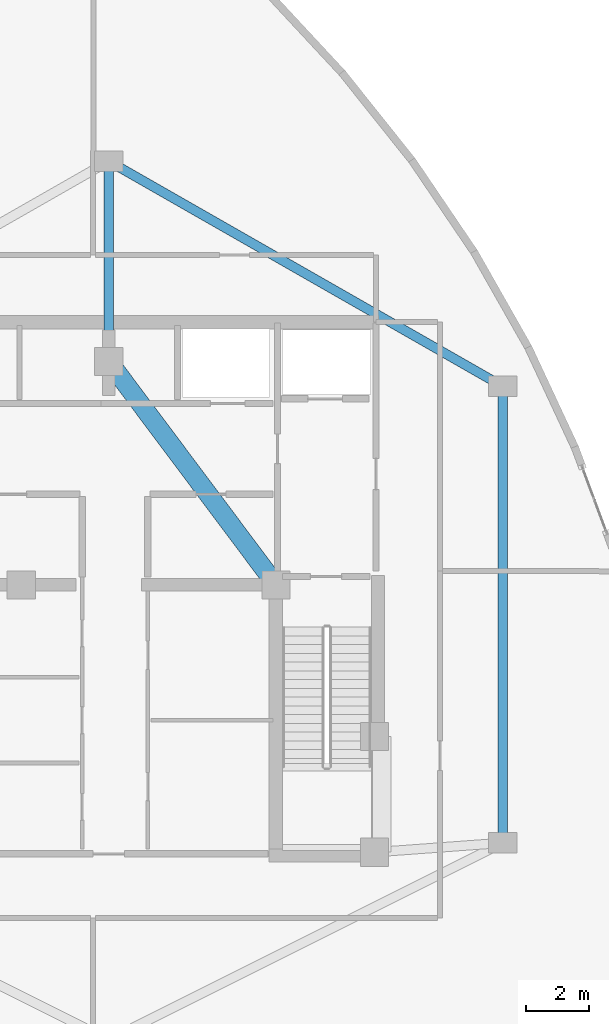
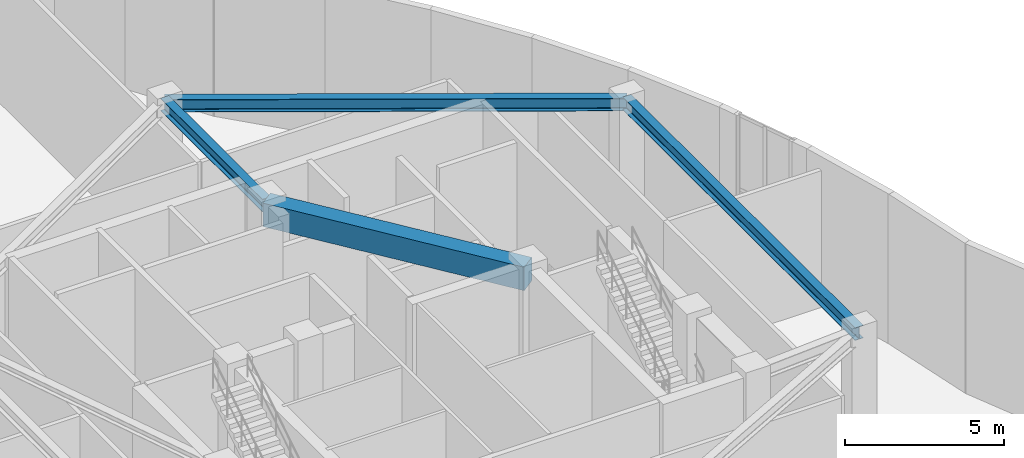
# One storey, part 5 of 11: 4 beams.
"""IFC4 building model written with IfcOpenShell, lengths in metres."""

from ifc_helpers import new_model, si_unit, direction, frame, origin, origin_2d, place, context, subcontext, project, spatial, rectangle, i_section, extrude, material, material_profile, profile_set, type_object, element, save


model = new_model("IFC4")

# Units and contexts
model_context = context("Model", 3, precision=1e-05, world=origin(), true_north=direction((0.0, 1.0)))
body_context = subcontext(model_context, "Body", "Model", "MODEL_VIEW")
ifc_project = project(units=[si_unit("LENGTHUNIT", "METRE"), si_unit("AREAUNIT", "SQUARE_METRE"), si_unit("VOLUMEUNIT", "CUBIC_METRE"), si_unit("PLANEANGLEUNIT", "RADIAN"), si_unit("MASSUNIT", "GRAM", prefix="KILO")], contexts=[model_context])

# Site, building, storey
site_placement = place(None, origin())
site = spatial("IfcSite", under=ifc_project, at=site_placement, CompositionType="ELEMENT")
building_placement = place(site_placement, origin())
building = spatial("IfcBuilding", under=site, at=building_placement, Name="Miruveldt Soraemaru", CompositionType="ELEMENT")
storey_placement = place(building_placement, frame((0.0, 0.0, 300.800048828125)))
storey = spatial("IfcBuildingStorey", under=building, at=storey_placement, Name="L80", CompositionType="ELEMENT", Elevation=300.800048828125)

# Beams
ifc_material_1 = material(Name="Concrete C60/75 (60 MPa)", Category="concrete")
ifc_material_profile_1 = material_profile(ifc_material_1, rectangle(XDim=0.60009765625, YDim=0.89990234375, at=origin_2d()), Name="Concrete C60/75 (60 MPa)", Category="concrete")
ifc_profile_set_1 = profile_set([ifc_material_profile_1], Name="Concrete C60/75 (60 MPa)")
beam_type_1 = type_object("IfcBeamType", Name="BM-RC-600x900", PredefinedType="BEAM", material=ifc_profile_set_1)
beam_1_placement = place(storey_placement, frame((49.35009765625, 44.050048828125, 5.2900390625), z_axis=(-0.599116023999, 0.800662219533, 0.0), x_axis=(-0.800662219533, -0.599116023999, 0.0)))
element("IfcBeam", 1, at=beam_1_placement, inside=storey, type_object=beam_type_1, Name="L80 Core Tie Beam 5", PredefinedType="BEAM", context=body_context, shape_type="SweptSolid", body=[
    extrude(rectangle(XDim=0.60009765625, YDim=0.89990234375, at=origin_2d()), origin(), (0.0, 0.0, 1.0), 8.929931640625),
])
ifc_material_2 = material(Name="Steel SM355 (355 MPa)", Category="steel")
ifc_material_profile_2 = material_profile(ifc_material_2, i_section(OverallWidth=0.300048828125, OverallDepth=0.488037109375, WebThickness=0.010986328125, FlangeThickness=0.01806640625, FilletRadius=0.02587890625, at=origin_2d()), Name="Steel SM355 (355 MPa)", Category="steel")
ifc_profile_set_2 = profile_set([ifc_material_profile_2], Name="Steel SM355 (355 MPa)")
beam_type_2 = type_object("IfcBeamType", Name="BM-ST-H488", PredefinedType="BEAM", material=ifc_profile_set_2)
beam_2_placement = place(storey_placement, frame((44.0, 57.60009765625, 5.495849609375), z_axis=(0.868239001029, -0.496146185203, 0.0), x_axis=(0.496146185203, 0.868239001029, 0.0)))
element("IfcBeam", 2, at=beam_2_placement, inside=storey, type_object=beam_type_2, Name="L80 Inner Ring Girder 1", PredefinedType="BEAM", context=body_context, shape_type="SweptSolid", body=[
    extrude(i_section(OverallWidth=0.300048828125, OverallDepth=0.488037109375, WebThickness=0.010986328125, FlangeThickness=0.01806640625, FilletRadius=0.02587890625, at=origin_2d()), origin(), (0.0, 0.0, 1.0), 14.51220703125),
])
beam_3_placement = place(storey_placement, frame((44.0, 51.199951171875, 5.495849609375), z_axis=(0.0, 1.0, 0.0), x_axis=(-1.0, 0.0, 0.0)))
element("IfcBeam", 3, at=beam_3_placement, inside=storey, type_object=beam_type_2, Name="L80 Core-to-Inner Radial Girder 1", PredefinedType="BEAM", context=body_context, shape_type="SweptSolid", body=[
    extrude(i_section(OverallWidth=0.300048828125, OverallDepth=0.488037109375, WebThickness=0.010986328125, FlangeThickness=0.01806640625, FilletRadius=0.02587890625, at=origin_2d()), origin(), (0.0, 0.0, 1.0), 6.400146484375),
])
beam_4_placement = place(storey_placement, frame((56.60009765625, 50.39990234375, 5.495849609375), z_axis=(0.0, -1.0, 0.0), x_axis=(1.0, 0.0, 0.0)))
element("IfcBeam", 4, at=beam_4_placement, inside=storey, type_object=beam_type_2, Name="L80 Inner Ring Girder 2", PredefinedType="BEAM", context=body_context, shape_type="SweptSolid", body=[
    extrude(i_section(OverallWidth=0.300048828125, OverallDepth=0.488037109375, WebThickness=0.010986328125, FlangeThickness=0.01806640625, FilletRadius=0.02587890625, at=origin_2d()), origin(), (0.0, 0.0, 1.0), 14.599853515625),
])

save(model, "model.ifc")
